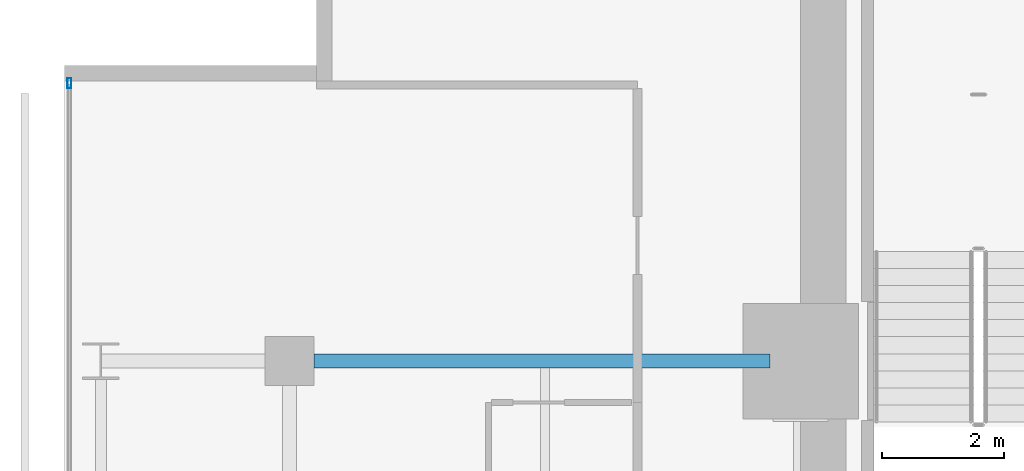
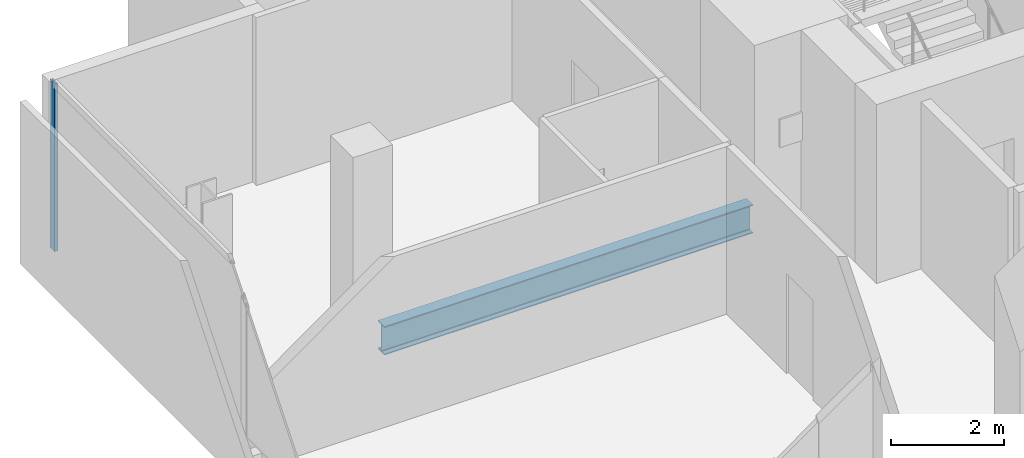
# One storey, part 20 of 34: 1 beam, 1 member, 1 element without a shape of its own.
"""IFC4 building model written with IfcOpenShell, lengths in metres."""

from ifc_helpers import new_model, si_unit, direction, frame, origin, origin_2d, place, context, subcontext, project, spatial, hollow_rectangle, i_section, extrude, material, layer, layer_set, material_profile, profile_set, type_object, element, aggregate, save


model = new_model("IFC4")

# Units and contexts
model_context = context("Model", 3, precision=1e-05, world=origin(), true_north=direction((0.0, 1.0)))
body_context = subcontext(model_context, "Body", "Model", "MODEL_VIEW")
ifc_project = project(units=[si_unit("LENGTHUNIT", "METRE"), si_unit("AREAUNIT", "SQUARE_METRE"), si_unit("VOLUMEUNIT", "CUBIC_METRE"), si_unit("PLANEANGLEUNIT", "RADIAN"), si_unit("MASSUNIT", "GRAM", prefix="KILO")], contexts=[model_context])

# Site, building, storey
site_placement = place(None, origin())
site = spatial("IfcSite", under=ifc_project, at=site_placement, CompositionType="ELEMENT")
building_placement = place(site_placement, origin())
building = spatial("IfcBuilding", under=site, at=building_placement, Name="Maruvema Waterfront Hotel and Observation Tower", CompositionType="ELEMENT")
storey_placement = place(building_placement, frame((0.0, 0.0, 135.10009765625)))
storey = spatial("IfcBuildingStorey", under=building, at=storey_placement, Name="L32", CompositionType="ELEMENT", Elevation=135.10009765625)

# Curtain wall, member
ifc_material_1 = material(Name="Anodised bronze aluminium and solar-control low-E IGU", Category="aluminium")
ifc_layer = layer(ifc_material_1, 0.159912109375, Name="Zone 2 Amber Inner Thermal Curtain Wall System CW-03")
ifc_layer_set = layer_set([ifc_layer], Name="Anodised bronze aluminium and solar-control low-E IGU")
curtain_wall_type = type_object("IfcCurtainWallType", Name="Zone 2 Amber Inner Thermal Curtain Wall System CW-03", PredefinedType="USERDEFINED", material=ifc_layer_set)
curtain_wall_placement = place(storey_placement, origin())
curtain_wall = element("IfcCurtainWall", 1, at=curtain_wall_placement, inside=storey, type_object=curtain_wall_type, Name="L32 Curtain Wall CW-L32-W", ObjectType="UNITISED CURTAIN WALL", PredefinedType="USERDEFINED")
ifc_material_2 = material(Name="Anodised architectural bronze aluminium", Category="aluminium")
ifc_material_profile_1 = material_profile(ifc_material_2, hollow_rectangle(XDim=0.06494140625, YDim=0.1650390625, WallThickness=0.00390625, at=origin_2d()), Name="ALU-M65x165")
ifc_profile_set_1 = profile_set([ifc_material_profile_1], Name="Anodised architectural bronze aluminium")
member_type = type_object("IfcMemberType", Name="Curtain Wall Primary Mullion ALU-M65x165", PredefinedType="MULLION", material=ifc_profile_set_1)
member_placement = place(storey_placement, frame((13.179931640625, 49.570068359375, 0.0), z_axis=(0.0, 0.0, 1.0), x_axis=(1.0, 0.0, 0.0)))
member = element("IfcMember", 2, at=member_placement, type_object=member_type, Name="CW-03 mullion 1", PredefinedType="MULLION", context=body_context, shape_type="SweptSolid", body=[
    extrude(hollow_rectangle(XDim=0.06494140625, YDim=0.1650390625, WallThickness=0.00390625, at=origin_2d()), origin(), (0.0, 0.0, 1.0), 3.60986328125),
])
aggregate(curtain_wall, [member])

# Beam
ifc_material_3 = material(Name="Steel ASTM A572 Grade 50", Category="steel")
ifc_material_profile_2 = material_profile(ifc_material_3, i_section(OverallWidth=0.22900390625, OverallDepth=0.612060546875, WebThickness=0.011962890625, FlangeThickness=0.01953125, FilletRadius=0.01806640625, at=origin_2d()), Name="W610x125.0")
ifc_profile_set_2 = profile_set([ifc_material_profile_2], Name="Steel ASTM A572 Grade 50")
beam_type = type_object("IfcBeamType", Name="Primary Floor Girder W610x125.0", PredefinedType="BEAM", material=ifc_profile_set_2)
beam_placement = place(storey_placement, frame((17.199951171875, 45.0, -0.546142578125), z_axis=(1.0, 0.0, 0.0), x_axis=(0.0, 1.0, 0.0)))
element("IfcBeam", 3, at=beam_placement, inside=storey, type_object=beam_type, Name="L32 Floor Girder EW-31", PredefinedType="BEAM", context=body_context, shape_type="SweptSolid", body=[
    extrude(i_section(OverallWidth=0.22900390625, OverallDepth=0.612060546875, WebThickness=0.011962890625, FlangeThickness=0.01953125, FilletRadius=0.01806640625, at=origin_2d()), origin(), (0.0, 0.0, 1.0), 7.5),
])

save(model, "model.ifc")
